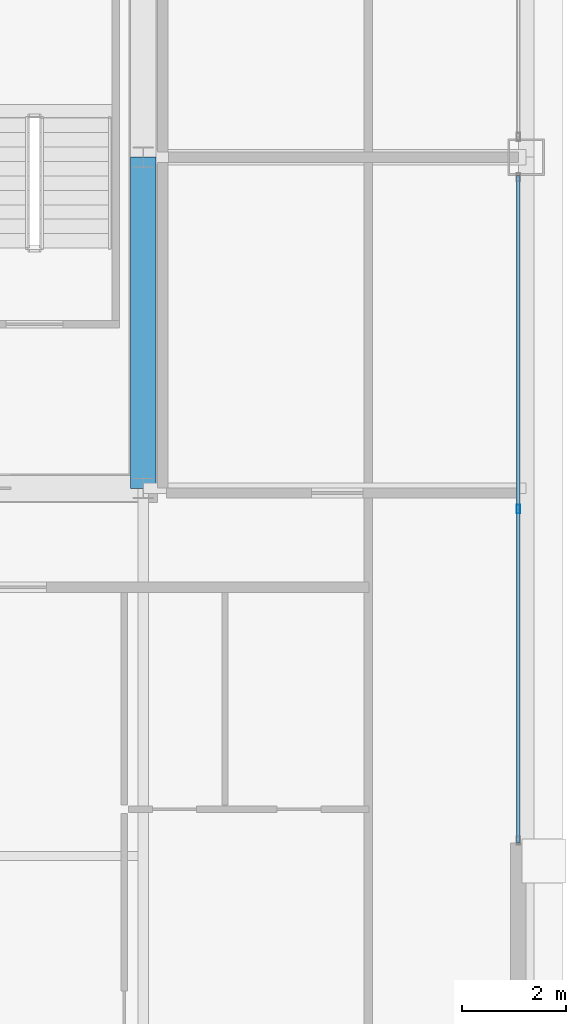
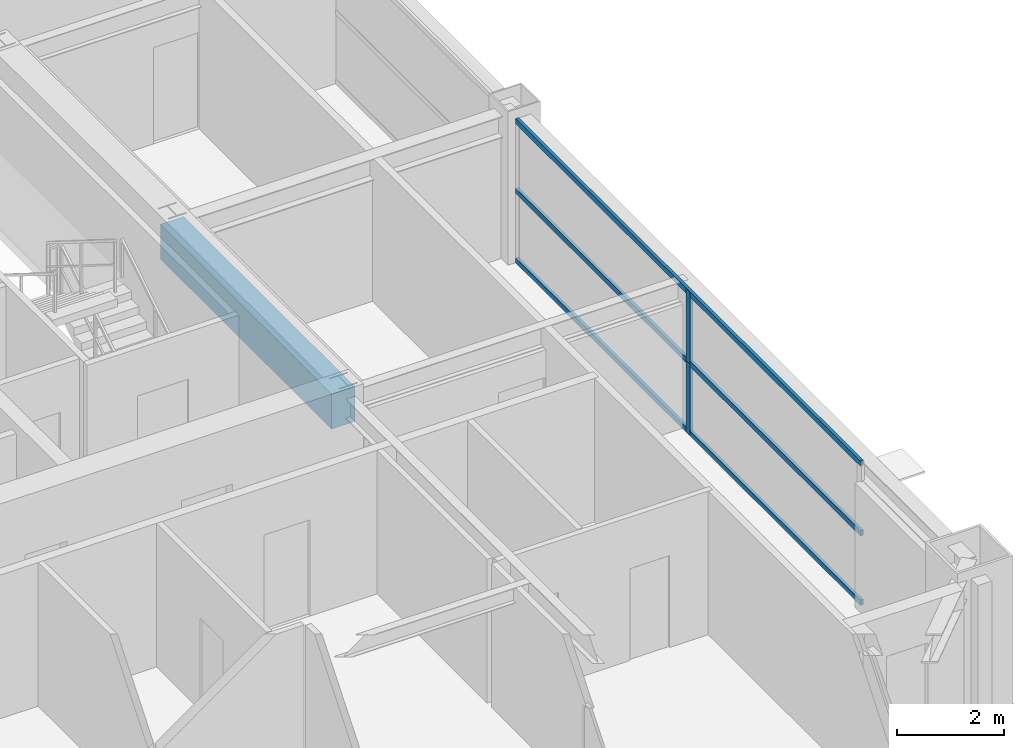
# One storey, part 19 of 36: 5 members, 1 beam, 1 element without a shape of its own.
"""IFC4 building model written with IfcOpenShell, lengths in metres."""

import ifcopenshell
import ifcopenshell.guid

model = None  # the IFC model being written
_history = None  # IfcOwnerHistory: only IFC2X3 demands one
_inside = {}  # id of a spatial element -> (the spatial element, [elements in it])
_under = {}  # id of a project, library or spatial element -> (it, [spatial elements below it])
_declared = {}  # id of a project -> (the project, [libraries it declares])
_typed = {}  # id of a type object -> (the type object, [elements of that type])
_made_of = {}  # id of a material, layer set ... -> (it, [elements and type objects made of it])


def new_model(schema):
    """Start an empty IFC model of exactly this schema.

    Asked for "IFC4X3", IfcOpenShell would pick the latest addendum, in which some entities
    have other attributes; the version numbers below select the first issue.
    IFC2X3 requires an IfcOwnerHistory on every rooted entity: one is made here for all.
    """
    global model, _history
    if schema == "IFC4X3":
        model = ifcopenshell.file(schema_version=(4, 3, 0, 0))
    else:
        model = ifcopenshell.file(schema=schema)
    _inside.clear()
    _under.clear()
    _declared.clear()
    _typed.clear()
    _made_of.clear()
    _history = None
    if model.schema == "IFC2X3":
        org = make("IfcOrganization", Name="unknown")
        user = make(
            "IfcPersonAndOrganization",
            ThePerson=make("IfcPerson", FamilyName="unknown"),
            TheOrganization=org,
        )
        app = make(
            "IfcApplication",
            ApplicationDeveloper=org,
            Version="unknown",
            ApplicationFullName="unknown",
            ApplicationIdentifier="unknown",
        )
        _history = make(
            "IfcOwnerHistory",
            OwningUser=user,
            OwningApplication=app,
            ChangeAction="ADDED",
            CreationDate=0,
        )
    return model


def make(cls, **values):
    """One entity of the class cls with the attributes given. An attribute that is None is left unset."""
    return model.create_entity(
        cls, **{name: value for name, value in values.items() if value is not None}
    )


def rooted(cls, **values):
    """An entity with a GlobalId (a new one), such as an element, a storey or a relation."""
    return make(cls, GlobalId=ifcopenshell.guid.new(), OwnerHistory=_history, **values)


def si_unit(unit_type, name, prefix=None):
    """IfcSIUnit, for example si_unit("LENGTHUNIT", "METRE", prefix="MILLI")."""
    return make("IfcSIUnit", UnitType=unit_type, Prefix=prefix, Name=name)


def assignment(units):
    """IfcUnitAssignment: the units of a project."""
    return None if units is None else make("IfcUnitAssignment", Units=units)


def point(xyz):
    """IfcCartesianPoint."""
    return None if xyz is None else make("IfcCartesianPoint", Coordinates=xyz)


def direction(xyz):
    """IfcDirection."""
    return None if xyz is None else make("IfcDirection", DirectionRatios=xyz)


def frame(location, z_axis=None, x_axis=None):
    """IfcAxis2Placement3D, a coordinate frame: its origin and axes. An axis left out is left unset."""
    return make(
        "IfcAxis2Placement3D",
        Location=point(location),
        Axis=direction(z_axis),
        RefDirection=direction(x_axis),
    )


def frame_2d(location, x_axis=None):
    """IfcAxis2Placement2D, a coordinate frame in the plane: its origin and x axis."""
    return make(
        "IfcAxis2Placement2D", Location=point(location), RefDirection=direction(x_axis)
    )


def origin():
    """The frame at (0, 0, 0) with its axes left unset."""
    return frame((0.0, 0.0, 0.0))


def origin_2d():
    """The frame at (0, 0) in the plane with its x axis left unset."""
    return frame_2d((0.0, 0.0))


def place(relative_to, where):
    """IfcLocalPlacement: puts the frame where relative to a parent placement (None: the world)."""
    return make(
        "IfcLocalPlacement", PlacementRelTo=relative_to, RelativePlacement=where
    )


def context(
    kind, dimensions, precision=None, world=None, true_north=None, identifier=None
):
    """IfcGeometricRepresentationContext, for example the 3D "Model" context."""
    return make(
        "IfcGeometricRepresentationContext",
        ContextIdentifier=identifier,
        ContextType=kind,
        CoordinateSpaceDimension=dimensions,
        Precision=precision,
        WorldCoordinateSystem=world,
        TrueNorth=true_north,
    )


def subcontext(parent, identifier, kind, view, scale=None):
    """IfcGeometricRepresentationSubContext, for example "Body" below "Model"."""
    return make(
        "IfcGeometricRepresentationSubContext",
        ContextIdentifier=identifier,
        ContextType=kind,
        ParentContext=parent,
        TargetScale=scale,
        TargetView=view,
    )


def project(units=None, contexts=None):
    """IfcProject with its units and contexts."""
    return rooted(
        "IfcProject",
        Name="project",
        RepresentationContexts=contexts,
        UnitsInContext=assignment(units),
    )


def spatial(cls, under=None, at=None, **own):
    """A site, building, storey or space (cls), placed at a placement, below another one or the project."""
    s = rooted(cls, ObjectPlacement=at, **own)
    if under is not None:
        _under.setdefault(under.id(), (under, []))[1].append(s)
    return s


def profile(cls, at=None, kind="AREA", **sizes):
    """A parametric profile (cls). Its sizes go by their IFC names, for example OverallWidth=200.0."""
    return make(cls, ProfileType=kind, Position=at, **sizes)


def rectangle(**sizes):
    """IfcRectangleProfileDef."""
    return profile("IfcRectangleProfileDef", **sizes)


def hollow_rectangle(**sizes):
    """IfcRectangleHollowProfileDef."""
    return profile("IfcRectangleHollowProfileDef", **sizes)


def extrude(swept, where, along, depth):
    """IfcExtrudedAreaSolid: the profile swept, set in the frame where, extruded along a direction by depth."""
    return make(
        "IfcExtrudedAreaSolid",
        SweptArea=swept,
        Position=where,
        ExtrudedDirection=direction(along),
        Depth=depth,
    )


def shape(context_of_items, identifier, shape_type, items):
    """IfcShapeRepresentation: the items that make up one representation, for example the "Body"."""
    return make(
        "IfcShapeRepresentation",
        ContextOfItems=context_of_items,
        RepresentationIdentifier=identifier,
        RepresentationType=shape_type,
        Items=items,
    )


def source(mapping_origin, context_of_items, identifier, shape_type, items):
    """IfcRepresentationMap: a shape defined once, which mapped items show again and again."""
    return make(
        "IfcRepresentationMap",
        MappingOrigin=mapping_origin,
        MappedRepresentation=shape(context_of_items, identifier, shape_type, items),
    )


def transform(
    local_origin,
    x_axis=None,
    y_axis=None,
    z_axis=None,
    scale=None,
    scale2=None,
    scale3=None,
    uniform=True,
):
    """IfcCartesianTransformationOperator3D, or its non-uniform kind. x_axis, y_axis, z_axis: its Axis1, 2, 3."""
    if uniform:
        return make(
            "IfcCartesianTransformationOperator3D",
            Axis1=direction(x_axis),
            Axis2=direction(y_axis),
            LocalOrigin=point(local_origin),
            Scale=scale,
            Axis3=direction(z_axis),
        )
    return make(
        "IfcCartesianTransformationOperator3DnonUniform",
        Axis1=direction(x_axis),
        Axis2=direction(y_axis),
        LocalOrigin=point(local_origin),
        Scale=scale,
        Axis3=direction(z_axis),
        Scale2=scale2,
        Scale3=scale3,
    )


def mapped(mapping_source, mapping_target):
    """IfcMappedItem: shows the shape of a source again, moved by a transform."""
    return make(
        "IfcMappedItem", MappingSource=mapping_source, MappingTarget=mapping_target
    )


def material(Name=None, Category=None):
    """IfcMaterial."""
    return make("IfcMaterial", Name=Name, Category=Category)


def layer(
    of_material, thickness, ventilated=None, Name=None, Category=None, Priority=None
):
    """IfcMaterialLayer: one layer of a wall or slab, of a material (None: an air gap)."""
    return make(
        "IfcMaterialLayer",
        Material=of_material,
        LayerThickness=thickness,
        IsVentilated=ventilated,
        Name=Name,
        Category=Category,
        Priority=Priority,
    )


def layer_set(layers, Name=None):
    """IfcMaterialLayerSet."""
    return make("IfcMaterialLayerSet", MaterialLayers=layers, LayerSetName=Name)


def material_profile(
    of_material, cross_section, Name=None, Category=None, Priority=None
):
    """IfcMaterialProfile: a cross section and its material."""
    return make(
        "IfcMaterialProfile",
        Name=Name,
        Material=of_material,
        Profile=cross_section,
        Priority=Priority,
        Category=Category,
    )


def profile_set(profiles, Name=None, composite=None):
    """IfcMaterialProfileSet."""
    return make(
        "IfcMaterialProfileSet",
        Name=Name,
        MaterialProfiles=profiles,
        CompositeProfile=composite,
    )


def made_of(thing, what):
    """Note that an element or type object is made of a material, layer set ...; save() writes the relation."""
    if what is not None:
        _made_of.setdefault(what.id(), (what, []))[1].append(thing)
    return thing


def type_object(cls, material=None, **own):
    """A type object (cls), such as IfcWallType, which elements share."""
    return made_of(rooted(cls, **own), material)


def element(
    cls,
    number,
    at=None,
    inside=None,
    cuts=None,
    type_object=None,
    material=None,
    context=None,
    identifier="Body",
    shape_type=None,
    held_by="IfcProductDefinitionShape",
    body=None,
    shapes=None,
    **own,
):
    """One element of the class cls, such as IfcWall. Its Tag is "e" and its number.

    at: its placement. inside: the storey or other place that contains it. cuts: it is an
    opening in that element (IfcRelVoidsElement). A single representation is given by context,
    identifier, shape_type and body (its items); several are given by shapes. held_by: the class
    of the entity that holds the representations. save() writes the other relations.
    """
    e = rooted(cls, Tag="e%d" % number, ObjectPlacement=at, **own)
    if body is not None:
        shapes = [shape(context, identifier, shape_type, body)]
    if shapes is not None:
        e.Representation = make(held_by, Representations=shapes)
    if inside is not None:
        _inside.setdefault(inside.id(), (inside, []))[1].append(e)
    if cuts is not None:
        rooted(
            "IfcRelVoidsElement", RelatingBuildingElement=cuts, RelatedOpeningElement=e
        )
    if type_object is not None:
        _typed.setdefault(type_object.id(), (type_object, []))[1].append(e)
    return made_of(e, material)


def aggregate(whole, parts):
    """IfcRelAggregates: a whole, such as a stair, and the parts it consists of."""
    return rooted("IfcRelAggregates", RelatingObject=whole, RelatedObjects=parts)


def save(model, path):
    """Write the relations noted so far, then the file.

    IfcRelAggregates (storeys below a building ...), IfcRelContainedInSpatialStructure (elements
    in a storey), IfcRelDefinesByType, IfcRelAssociatesMaterial and IfcRelDeclares: one each for
    every whole, place, type object, material and project.
    """
    for whole, parts in _under.values():
        aggregate(whole, parts)
    for where, things in _inside.values():
        rooted(
            "IfcRelContainedInSpatialStructure",
            RelatedElements=things,
            RelatingStructure=where,
        )
    for kind, things in _typed.values():
        rooted("IfcRelDefinesByType", RelatedObjects=things, RelatingType=kind)
    for what, things in _made_of.values():
        rooted("IfcRelAssociatesMaterial", RelatedObjects=things, RelatingMaterial=what)
    for by, libraries in _declared.values():
        rooted("IfcRelDeclares", RelatingContext=by, RelatedDefinitions=libraries)
    model.write(path)


model = new_model("IFC4")

# Units and contexts
model_context = context("Model", 3, precision=1e-05, world=origin(), true_north=direction((0.0, 1.0)))
body_context = subcontext(model_context, "Body", "Model", "MODEL_VIEW")
ifc_project = project(units=[si_unit("LENGTHUNIT", "METRE"), si_unit("AREAUNIT", "SQUARE_METRE"), si_unit("VOLUMEUNIT", "CUBIC_METRE"), si_unit("PLANEANGLEUNIT", "RADIAN"), si_unit("MASSUNIT", "GRAM", prefix="KILO"), si_unit("THERMODYNAMICTEMPERATUREUNIT", "KELVIN"), si_unit("POWERUNIT", "WATT")], contexts=[model_context])

# Site, building, storey
site_placement = place(None, origin())
site = spatial("IfcSite", under=ifc_project, at=site_placement, CompositionType="ELEMENT")
building_placement = place(site_placement, origin())
building = spatial("IfcBuilding", under=site, at=building_placement, Name="Yuzanri Waterfront Tower", CompositionType="ELEMENT")
storey_placement = place(building_placement, frame((0.0, 0.0, 224.10009765625)))
storey = spatial("IfcBuildingStorey", under=building, at=storey_placement, Name="L59", CompositionType="ELEMENT", Elevation=224.10009765625)

# Beam
ifc_material_1 = material(Name="Concrete C50", Category="concrete")
ifc_material_profile_1 = material_profile(ifc_material_1, rectangle(XDim=0.5, YDim=0.800048828125, at=origin_2d()), Name="RC 500x800")
ifc_profile_set_1 = profile_set([ifc_material_profile_1], Name="Concrete C50")
beam_type = type_object("IfcBeamType", Name="Core Coupling Lintel Concrete C50 500x800", PredefinedType="LINTEL", material=ifc_profile_set_1)
shared_shape_1 = source(origin(), body_context, "Body", "SweptSolid", [
    extrude(rectangle(XDim=0.5, YDim=0.800048828125, at=origin_2d()), origin(), (0.0, 0.0, 1.0), 6.400146484375),
])
beam_placement = place(storey_placement, frame((50.199951171875, 19.39990234375, 2.8798828125), z_axis=(0.0, 1.0, 0.0), x_axis=(-1.0, 0.0, 0.0)))
element("IfcBeam", 1, at=beam_placement, inside=storey, type_object=beam_type, Name="L59 Core Tie Beam CE1", PredefinedType="LINTEL", context=body_context, shape_type="MappedRepresentation", body=[
    mapped(shared_shape_1, transform((0.0, 0.0, 0.0), scale=1.0)),
])

# Curtain wall, members
ifc_material_2 = material(Name="Anodized Architectural Bronze", Category="metal")
ifc_layer = layer(ifc_material_2, 0.159912109375)
ifc_layer_set = layer_set([ifc_layer], Name="Anodized Architectural Bronze")
curtain_wall_type = type_object("IfcCurtainWallType", Name="Anodized Bronze Mid-Rise Residential Acoustic Unitized Curtain Wall 7200", PredefinedType="NOTDEFINED", material=ifc_layer_set)
curtain_wall_placement = place(storey_placement, origin())
curtain_wall = element("IfcCurtainWall", 2, at=curtain_wall_placement, inside=storey, type_object=curtain_wall_type, Name="L59 Curtain Wall CW-L59-EL", PredefinedType="NOTDEFINED")
ifc_material_3 = material(Name="Anodized Architectural Bronze", Category="metal")
ifc_material_profile_2 = material_profile(ifc_material_3, hollow_rectangle(XDim=0.06494140625, YDim=0.159912109375, WallThickness=0.00341796875, at=origin_2d()), Name="CWM 65x160")
ifc_profile_set_2 = profile_set([ifc_material_profile_2], Name="Anodized Architectural Bronze")
member_type_1 = type_object("IfcMemberType", Name="Anodized Bronze Upper-Zone Curtain-Wall Mullion 65x160", PredefinedType="MULLION", material=ifc_profile_set_2)
shared_shape_2 = source(origin(), body_context, "Body", "SweptSolid", [
    extrude(hollow_rectangle(XDim=0.06494140625, YDim=0.159912109375, WallThickness=0.00341796875, at=origin_2d()), origin(), (0.0, 0.0, 1.0), 1.637939453125),
])
member_1_placement = place(storey_placement, frame((57.449951171875, 19.0, 0.0), z_axis=(0.0, 0.0, 1.0), x_axis=(1.0, 0.0, 0.0)))
member_1 = element("IfcMember", 3, at=member_1_placement, type_object=member_type_1, Name="CW-L59-EL Lower Mullion 01", PredefinedType="MULLION", context=body_context, shape_type="MappedRepresentation", body=[
    mapped(shared_shape_2, transform((0.0, 0.0, 0.0), scale=1.0)),
])
member_2_placement = place(storey_placement, frame((57.449951171875, 19.0, 1.641845703125), z_axis=(0.0, 0.0, 1.0), x_axis=(1.0, 0.0, 0.0)))
member_2 = element("IfcMember", 4, at=member_2_placement, type_object=member_type_1, Name="CW-L59-EL Upper Mullion 01", PredefinedType="MULLION", context=body_context, shape_type="MappedRepresentation", body=[
    mapped(shared_shape_2, transform((0.0, 0.0, 0.0), scale=1.0)),
])
ifc_material_4 = material(Name="Anodized Architectural Bronze", Category="metal")
ifc_material_profile_3 = material_profile(ifc_material_4, hollow_rectangle(XDim=0.06494140625, YDim=0.1201171875, WallThickness=0.00341796875, at=origin_2d()), Name="CWT 65x120")
ifc_profile_set_3 = profile_set([ifc_material_profile_3], Name="Anodized Architectural Bronze")
member_type_2 = type_object("IfcMemberType", Name="Anodized Bronze Secondary Curtain-Wall Transom 65x120", PredefinedType="USERDEFINED", material=ifc_profile_set_3)
shared_shape_3 = source(origin(), body_context, "Body", "SweptSolid", [
    extrude(hollow_rectangle(XDim=0.06494140625, YDim=0.1201171875, WallThickness=0.00341796875, at=origin_2d()), origin(), (0.0, 0.0, 1.0), 12.89990234375),
])
member_3_placement = place(storey_placement, frame((57.449951171875, 12.550048828125, 0.0498046875), z_axis=(0.0, 1.0, 0.0), x_axis=(-1.0, 0.0, 0.0)))
member_3 = element("IfcMember", 5, at=member_3_placement, type_object=member_type_2, Name="CW-L59-EL Transom 1", ObjectType="TRANSOM", PredefinedType="USERDEFINED", context=body_context, shape_type="MappedRepresentation", body=[
    mapped(shared_shape_3, transform((0.0, 0.0, 0.0), scale=1.0)),
])
member_4_placement = place(storey_placement, frame((57.449951171875, 12.550048828125, 1.639892578125), z_axis=(0.0, 1.0, 0.0), x_axis=(-1.0, 0.0, 0.0)))
member_4 = element("IfcMember", 6, at=member_4_placement, type_object=member_type_2, Name="CW-L59-EL Transom 2", ObjectType="TRANSOM", PredefinedType="USERDEFINED", context=body_context, shape_type="MappedRepresentation", body=[
    mapped(shared_shape_3, transform((0.0, 0.0, 0.0), scale=1.0)),
])
member_5_placement = place(storey_placement, frame((57.449951171875, 12.550048828125, 3.22998046875), z_axis=(0.0, 1.0, 0.0), x_axis=(-1.0, 0.0, 0.0)))
member_5 = element("IfcMember", 7, at=member_5_placement, type_object=member_type_2, Name="CW-L59-EL Transom 3", ObjectType="TRANSOM", PredefinedType="USERDEFINED", context=body_context, shape_type="MappedRepresentation", body=[
    mapped(shared_shape_3, transform((0.0, 0.0, 0.0), scale=1.0)),
])
aggregate(curtain_wall, [member_1, member_2, member_3, member_4, member_5])

save(model, "model.ifc")
